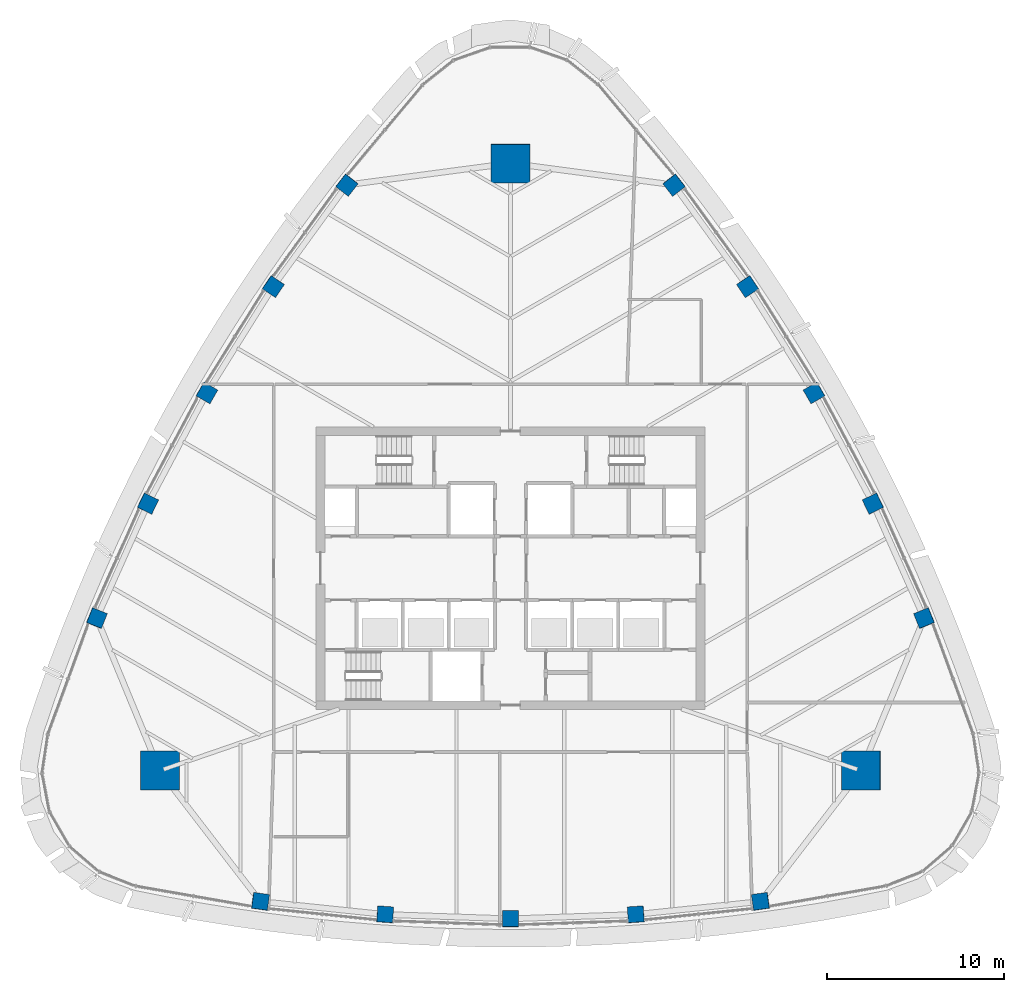
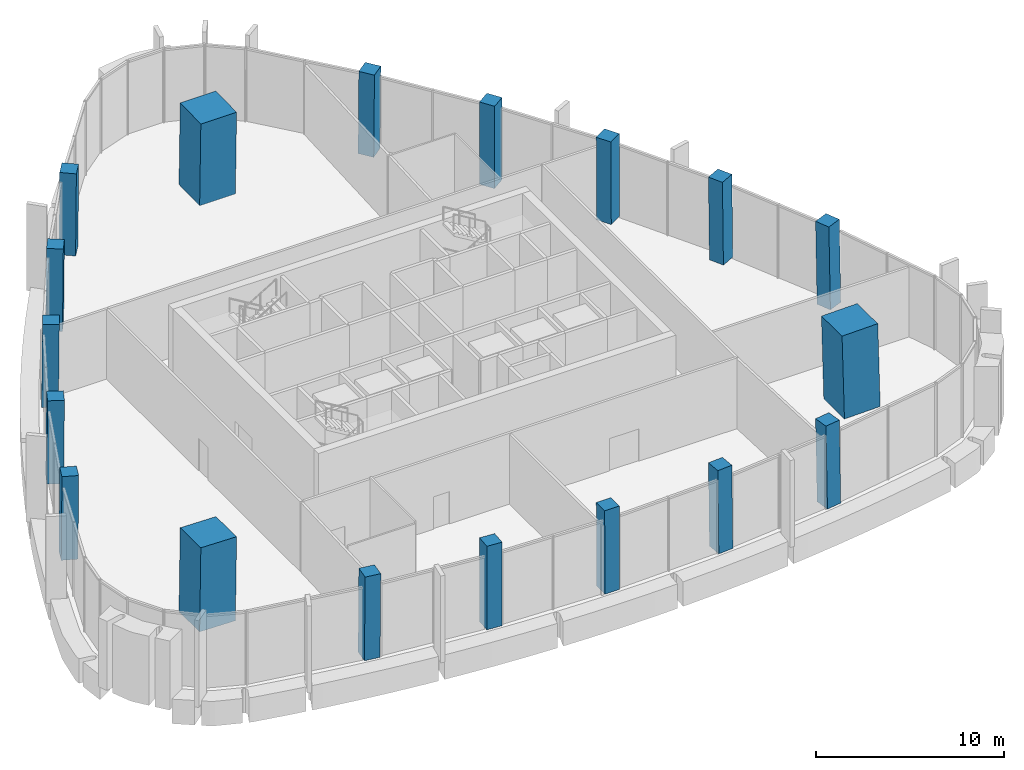
# One storey, part 1 of 19: 18 columns.
"""IFC4 building model written with IfcOpenShell, lengths in metres."""

from ifc_helpers import new_model, si_unit, direction, frame, origin, origin_2d, place, context, subcontext, project, spatial, rectangle, extrude, clip, halfspace, material, material_profile, profile_set, type_object, element, save


model = new_model("IFC4")

# Units and contexts
model_context = context("Model", 3, precision=1e-05, world=origin(), true_north=direction((0.0, 1.0)))
body_context = subcontext(model_context, "Body", "Model", "MODEL_VIEW")
ifc_project = project(units=[si_unit("LENGTHUNIT", "METRE"), si_unit("AREAUNIT", "SQUARE_METRE"), si_unit("VOLUMEUNIT", "CUBIC_METRE"), si_unit("PLANEANGLEUNIT", "RADIAN"), si_unit("MASSUNIT", "GRAM", prefix="KILO")], contexts=[model_context])

# Site, building, storey
site_placement = place(None, origin())
site = spatial("IfcSite", under=ifc_project, at=site_placement, CompositionType="ELEMENT")
building_placement = place(site_placement, origin())
building = spatial("IfcBuilding", under=site, at=building_placement, Name="Sierra Prisma Convention Tower", CompositionType="ELEMENT")
storey_placement = place(building_placement, frame((0.0, 0.0, 319.0)))
storey = spatial("IfcBuildingStorey", under=building, at=storey_placement, Name="L73", CompositionType="ELEMENT", Elevation=319.0)

# Columns
ifc_material_1 = material(Name="Concrete C50/60", Category="concrete")
ifc_material_profile_1 = material_profile(ifc_material_1, rectangle(XDim=2.199951171875, YDim=2.199951171875, at=origin_2d()), Name="Mega column RC 2200 C50/60")
ifc_profile_set_1 = profile_set([ifc_material_profile_1], Name="Concrete C50/60")
column_type_1 = type_object("IfcColumnType", Name="Mega column RC 2200 C50/60", PredefinedType="COLUMN", material=ifc_profile_set_1)
column_1_placement = place(storey_placement, frame((19.845703125, -11.4580078125, 0.0), z_axis=(-0.020475326005, 0.011842241531, 0.999720222032), x_axis=(0.999790358538, 0.000242524599, 0.020473889636)))
element("IfcColumn", 1, at=column_1_placement, inside=storey, type_object=column_type_1, Name="Mega column SE L73", PredefinedType="COLUMN", context=body_context, shape_type="SweptSolid", body=[
    clip(clip(extrude(rectangle(XDim=2.199951171875, YDim=2.199951171875, at=origin_2d()), origin(), (0.0, 0.0, 1.0), 5.4013671875), halfspace(frame((0.0, 0.0, 0.006591796875)), True)), halfspace(frame((0.0, 0.0, 5.399658203125)), False)),
])
column_2_placement = place(storey_placement, frame((0.0, 22.916015625, 0.0), z_axis=(0.0, -0.023684465569, 0.999719483701), x_axis=(1.0, 0.0, 0.0)))
element("IfcColumn", 2, at=column_2_placement, inside=storey, type_object=column_type_1, Name="Mega column N L73", PredefinedType="COLUMN", context=body_context, shape_type="SweptSolid", body=[
    clip(clip(extrude(rectangle(XDim=2.199951171875, YDim=2.199951171875, at=origin_2d()), origin(), (0.0, 0.0, 1.0), 5.4013671875), halfspace(frame((0.0, 0.0, 0.0048828125)), True)), halfspace(frame((0.0, 0.0, 5.39990234375)), False)),
])
column_3_placement = place(storey_placement, frame((-19.845703125, -11.4580078125, 0.0), z_axis=(0.020475326005, 0.011842241531, 0.999720222032), x_axis=(0.999790358538, -0.000242524599, -0.020473889636)))
element("IfcColumn", 3, at=column_3_placement, inside=storey, type_object=column_type_1, Name="Mega column SW L73", PredefinedType="COLUMN", context=body_context, shape_type="SweptSolid", body=[
    clip(clip(extrude(rectangle(XDim=2.199951171875, YDim=2.199951171875, at=origin_2d()), origin(), (0.0, 0.0, 1.0), 5.4013671875), halfspace(frame((0.0, 0.0, 0.006591796875)), True)), halfspace(frame((0.0, 0.0, 5.399658203125)), False)),
])
ifc_material_2 = material(Name="Concrete C50/60", Category="concrete")
ifc_material_profile_2 = material_profile(ifc_material_2, rectangle(XDim=0.89990234375, YDim=0.89990234375, at=origin_2d()), Name="Perimeter column RC 900 C50/60")
ifc_profile_set_2 = profile_set([ifc_material_profile_2], Name="Concrete C50/60")
column_type_2 = type_object("IfcColumnType", Name="Perimeter column RC 900 C50/60", PredefinedType="COLUMN", material=ifc_profile_set_2)
column_4_placement = place(storey_placement, frame((-14.153564453125, -18.857421875, 0.0), z_axis=(0.012929182019, 0.007685178123, 0.999886880747), x_axis=(-0.990378637615, 0.137884644373, 0.01174644637)))
element("IfcColumn", 4, at=column_4_placement, inside=storey, type_object=column_type_2, Name="Perimeter column S-1 L73", PredefinedType="COLUMN", context=body_context, shape_type="SweptSolid", body=[
    clip(clip(extrude(rectangle(XDim=0.89990234375, YDim=0.89990234375, at=origin_2d()), origin(), (0.0, 0.0, 1.0), 5.400634765625), halfspace(frame((0.0, 0.0, 0.001953125)), True)), halfspace(frame((0.0, 0.0, 5.39990234375)), False)),
])
column_5_placement = place(storey_placement, frame((-7.09375, -19.591796875, 0.0), z_axis=(0.006464968382, 0.008228141577, 0.999945249436), x_axis=(-0.997591658129, 0.069110756598, 0.00588106743)))
element("IfcColumn", 5, at=column_5_placement, inside=storey, type_object=column_type_2, Name="Perimeter column S-2 L73", PredefinedType="COLUMN", context=body_context, shape_type="SweptSolid", body=[
    clip(clip(extrude(rectangle(XDim=0.89990234375, YDim=0.89990234375, at=origin_2d()), origin(), (0.0, 0.0, 1.0), 5.400146484375), halfspace(frame((0.0, 0.0, 0.00146484375)), True)), halfspace(frame((0.0, 0.0, 5.399658203125)), False)),
])
column_6_placement = place(storey_placement, frame((0.0, -19.837158203125, 0.0), z_axis=(0.0, 0.008454350161, 0.999964261343), x_axis=(1.0, 0.0, 0.0)))
element("IfcColumn", 6, at=column_6_placement, inside=storey, type_object=column_type_2, Name="Perimeter column S-3 L73", PredefinedType="COLUMN", context=body_context, shape_type="SweptSolid", body=[
    clip(extrude(rectangle(XDim=0.89990234375, YDim=0.89990234375, at=origin_2d()), origin(), (0.0, 0.0, 1.0), 5.400146484375), halfspace(frame((0.0, 0.0, 0.0009765625)), True)),
])
column_7_placement = place(storey_placement, frame((7.09375, -19.591796875, 0.0), z_axis=(-0.006464968382, 0.008228141577, 0.999945249436), x_axis=(0.997591658129, 0.069110756598, 0.00588106743)))
element("IfcColumn", 7, at=column_7_placement, inside=storey, type_object=column_type_2, Name="Perimeter column S-4 L73", PredefinedType="COLUMN", context=body_context, shape_type="SweptSolid", body=[
    clip(clip(extrude(rectangle(XDim=0.89990234375, YDim=0.89990234375, at=origin_2d()), origin(), (0.0, 0.0, 1.0), 5.400146484375), halfspace(frame((0.0, 0.0, 0.00146484375)), True)), halfspace(frame((0.0, 0.0, 5.399658203125)), False)),
])
column_8_placement = place(storey_placement, frame((14.153564453125, -18.857421875, 0.0), z_axis=(-0.012929182019, 0.007685178123, 0.999886880747), x_axis=(0.990378637615, 0.137884644373, 0.01174644637)))
element("IfcColumn", 8, at=column_8_placement, inside=storey, type_object=column_type_2, Name="Perimeter column S-5 L73", PredefinedType="COLUMN", context=body_context, shape_type="SweptSolid", body=[
    clip(clip(extrude(rectangle(XDim=0.89990234375, YDim=0.89990234375, at=origin_2d()), origin(), (0.0, 0.0, 1.0), 5.400634765625), halfspace(frame((0.0, 0.0, 0.001953125)), True)), halfspace(frame((0.0, 0.0, 5.39990234375)), False)),
])
column_9_placement = place(storey_placement, frame((23.40771484375, -2.82861328125, 0.0), z_axis=(-0.013110014455, 0.007323525316, 0.999887240392), x_axis=(-0.375868515829, 0.926598952698, -0.011714933535)))
element("IfcColumn", 9, at=column_9_placement, inside=storey, type_object=column_type_2, Name="Perimeter column NE-1 L73", PredefinedType="COLUMN", context=body_context, shape_type="SweptSolid", body=[
    clip(clip(extrude(rectangle(XDim=0.89990234375, YDim=0.89990234375, at=origin_2d()), origin(), (0.0, 0.0, 1.0), 5.400390625), halfspace(frame((0.0, 0.0, 0.001953125)), True)), halfspace(frame((0.0, 0.0, 5.39990234375)), False)),
])
column_10_placement = place(storey_placement, frame((20.513916015625, 3.652587890625, 0.0), z_axis=(-0.010398197164, 0.001446705692, 0.999944890751), x_axis=(-0.438974783075, 0.898480241879, -0.005864706024)))
element("IfcColumn", 10, at=column_10_placement, inside=storey, type_object=column_type_2, Name="Perimeter column NE-2 L73", PredefinedType="COLUMN", context=body_context, shape_type="SweptSolid", body=[
    clip(clip(extrude(rectangle(XDim=0.89990234375, YDim=0.89990234375, at=origin_2d()), origin(), (0.0, 0.0, 1.0), 5.400146484375), halfspace(frame((0.0, 0.0, 0.00146484375)), True)), halfspace(frame((0.0, 0.0, 5.399658203125)), False)),
])
column_11_placement = place(storey_placement, frame((17.179443359375, 9.918701171875, 0.0), z_axis=(-0.007324088614, -0.004249779813, 0.999964147906), x_axis=(-0.499986589252, 0.866033146147, 1.850476e-05)))
element("IfcColumn", 11, at=column_11_placement, inside=storey, type_object=column_type_2, Name="Perimeter column NE-3 L73", PredefinedType="COLUMN", context=body_context, shape_type="SweptSolid", body=[
    clip(extrude(rectangle(XDim=0.89990234375, YDim=0.89990234375, at=origin_2d()), origin(), (0.0, 0.0, 1.0), 5.400146484375), halfspace(frame((0.0, 0.0, 0.0009765625)), True)),
])
column_12_placement = place(storey_placement, frame((13.42041015625, 15.939208984375, 0.0), z_axis=(-0.003978440471, -0.009720053424, 0.999944844765), x_axis=(-0.55860956895, 0.829410179444, 0.005839838435)))
element("IfcColumn", 12, at=column_12_placement, inside=storey, type_object=column_type_2, Name="Perimeter column NE-4 L73", PredefinedType="COLUMN", context=body_context, shape_type="SweptSolid", body=[
    clip(clip(extrude(rectangle(XDim=0.89990234375, YDim=0.89990234375, at=origin_2d()), origin(), (0.0, 0.0, 1.0), 5.400146484375), halfspace(frame((0.0, 0.0, 0.00146484375)), True)), halfspace(frame((0.0, 0.0, 5.399658203125)), False)),
])
for number, where, z_axis, x_axis, name in (
    (13, (9.254150390625, 21.685791015625, 0.0), (-0.000180827927, -0.014963510985, 0.999888024051), (-0.614560594928, 0.788782952143, 0.011693142001), "Perimeter column NE-5 L73"),
    (14, (-9.254150390625, 21.685791015625, 0.0), (0.000180827927, -0.014963510985, 0.999888024051), (0.614560594928, 0.788782952143, 0.011693142001), "Perimeter column NW-1 L73"),
):
    element("IfcColumn", number, at=place(storey_placement, frame(where, z_axis=z_axis, x_axis=x_axis)), inside=storey, type_object=column_type_2, Name=name, PredefinedType="COLUMN", context=body_context, shape_type="SweptSolid", body=[
        clip(clip(extrude(rectangle(XDim=0.89990234375, YDim=0.89990234375, at=origin_2d()), origin(), (0.0, 0.0, 1.0), 5.400390625), halfspace(frame((0.0, 0.0, 0.001953125)), True)), halfspace(frame((0.0, 0.0, 5.39990234375)), False)),
    ])
column_13_placement = place(storey_placement, frame((-13.42041015625, 15.939208984375, 0.0), z_axis=(0.003978440471, -0.009720053424, 0.999944844765), x_axis=(0.55860956895, 0.829410179444, 0.005839838435)))
element("IfcColumn", 15, at=column_13_placement, inside=storey, type_object=column_type_2, Name="Perimeter column NW-2 L73", PredefinedType="COLUMN", context=body_context, shape_type="SweptSolid", body=[
    clip(clip(extrude(rectangle(XDim=0.89990234375, YDim=0.89990234375, at=origin_2d()), origin(), (0.0, 0.0, 1.0), 5.400146484375), halfspace(frame((0.0, 0.0, 0.00146484375)), True)), halfspace(frame((0.0, 0.0, 5.399658203125)), False)),
])
column_14_placement = place(storey_placement, frame((-17.179443359375, 9.918701171875, 0.0), z_axis=(0.007324088614, -0.004249779813, 0.999964147906), x_axis=(0.499986589252, 0.866033146147, 1.850476e-05)))
element("IfcColumn", 16, at=column_14_placement, inside=storey, type_object=column_type_2, Name="Perimeter column NW-3 L73", PredefinedType="COLUMN", context=body_context, shape_type="SweptSolid", body=[
    clip(extrude(rectangle(XDim=0.89990234375, YDim=0.89990234375, at=origin_2d()), origin(), (0.0, 0.0, 1.0), 5.400146484375), halfspace(frame((0.0, 0.0, 0.0009765625)), True)),
])
column_15_placement = place(storey_placement, frame((-20.513916015625, 3.652587890625, 0.0), z_axis=(0.010398197164, 0.001446705692, 0.999944890751), x_axis=(0.438974783075, 0.898480241879, -0.005864706024)))
element("IfcColumn", 17, at=column_15_placement, inside=storey, type_object=column_type_2, Name="Perimeter column NW-4 L73", PredefinedType="COLUMN", context=body_context, shape_type="SweptSolid", body=[
    clip(clip(extrude(rectangle(XDim=0.89990234375, YDim=0.89990234375, at=origin_2d()), origin(), (0.0, 0.0, 1.0), 5.400146484375), halfspace(frame((0.0, 0.0, 0.00146484375)), True)), halfspace(frame((0.0, 0.0, 5.399658203125)), False)),
])
column_16_placement = place(storey_placement, frame((-23.40771484375, -2.82861328125, 0.0), z_axis=(0.013110014455, 0.007323525316, 0.999887240392), x_axis=(0.375868515829, 0.926598952698, -0.011714933535)))
element("IfcColumn", 18, at=column_16_placement, inside=storey, type_object=column_type_2, Name="Perimeter column NW-5 L73", PredefinedType="COLUMN", context=body_context, shape_type="SweptSolid", body=[
    clip(clip(extrude(rectangle(XDim=0.89990234375, YDim=0.89990234375, at=origin_2d()), origin(), (0.0, 0.0, 1.0), 5.400390625), halfspace(frame((0.0, 0.0, 0.001953125)), True)), halfspace(frame((0.0, 0.0, 5.39990234375)), False)),
])

save(model, "model.ifc")
